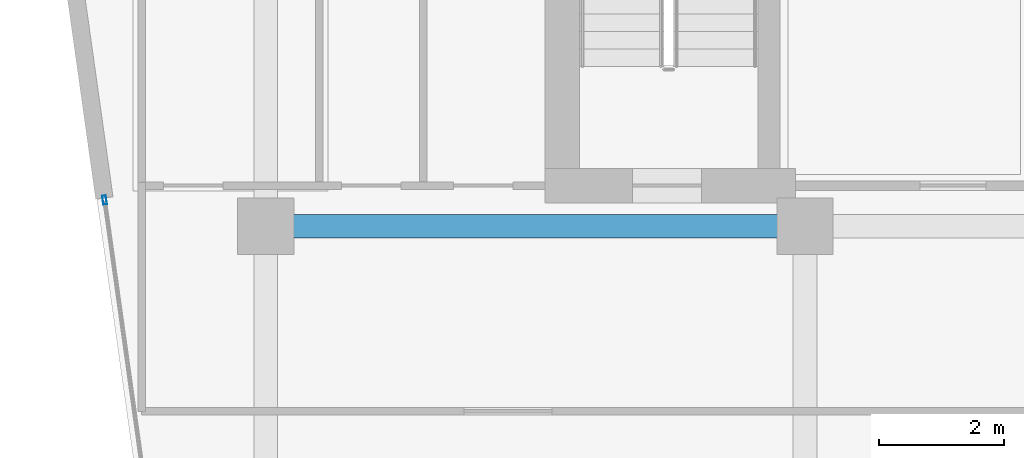
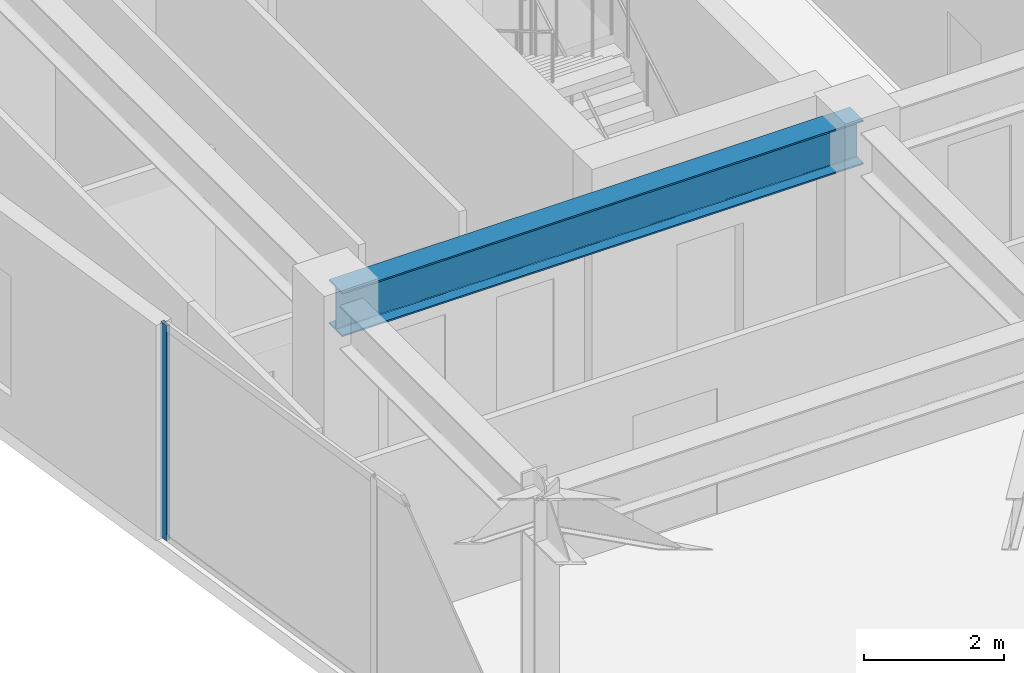
# One storey, part 12 of 27: 1 beam, 1 member, 1 element without a shape of its own.
"""IFC4 building model written with IfcOpenShell, lengths in metres."""

from ifc_helpers import new_model, si_unit, direction, frame, origin, origin_2d, place, context, subcontext, project, spatial, hollow_rectangle, i_section, extrude, material, layer, layer_set, material_profile, profile_set, type_object, element, aggregate, save


model = new_model("IFC4")

# Units and contexts
model_context = context("Model", 3, precision=1e-05, world=origin(), true_north=direction((0.0, 1.0)))
body_context = subcontext(model_context, "Body", "Model", "MODEL_VIEW")
ifc_project = project(units=[si_unit("LENGTHUNIT", "METRE"), si_unit("AREAUNIT", "SQUARE_METRE"), si_unit("VOLUMEUNIT", "CUBIC_METRE"), si_unit("PLANEANGLEUNIT", "RADIAN"), si_unit("MASSUNIT", "GRAM", prefix="KILO")], contexts=[model_context])

# Site, building, storey
site_placement = place(None, origin())
site = spatial("IfcSite", under=ifc_project, at=site_placement, CompositionType="ELEMENT")
building_placement = place(site_placement, origin())
building = spatial("IfcBuilding", under=site, at=building_placement, Name="Kravanh Interchange Tower", CompositionType="ELEMENT")
storey_placement = place(building_placement, frame((0.0, 0.0, 196.5)))
storey = spatial("IfcBuildingStorey", under=building, at=storey_placement, Name="L47", CompositionType="ELEMENT", Elevation=196.5)

# Curtain wall, member
ifc_material_1 = material(Name="Anodised Bronze Aluminium", Category="aluminium")
ifc_layer = layer(ifc_material_1, 0.179931640625)
ifc_layer_set = layer_set([ifc_layer], Name="Unitised Curtain Wall System CW-Z3 Upper Office")
curtain_wall_type = type_object("IfcCurtainWallType", Name="Unitised Curtain Wall System CW-Z3 Upper Office", PredefinedType="NOTDEFINED", material=ifc_layer_set)
curtain_wall_placement = place(storey_placement, origin())
curtain_wall = element("IfcCurtainWall", 1, at=curtain_wall_placement, inside=storey, type_object=curtain_wall_type, Name="L47 Unitised Curtain Wall CW-L47-01", PredefinedType="NOTDEFINED")
ifc_material_2 = material(Name="Anodised Bronze Aluminium", Category="aluminium")
ifc_material_profile_1 = material_profile(ifc_material_2, hollow_rectangle(XDim=0.06005859375, YDim=0.139892578125, WallThickness=0.00390625, at=origin_2d()), Name="ALU60X140X4")
ifc_profile_set_1 = profile_set([ifc_material_profile_1], Name="Anodised Bronze Aluminium")
member_type = type_object("IfcMemberType", Name="Curtain Wall Mullion ALU60X140X4 Bronze", PredefinedType="MULLION", material=ifc_profile_set_1)
member_placement = place(storey_placement, frame((16.029296875, 37.770263671875, 0.0), z_axis=(0.0, 0.0, 1.0), x_axis=(-0.990268194035, -0.139172209446, 0.0)))
member = element("IfcMember", 2, at=member_placement, type_object=member_type, Name="CW-Z3 mullion 6", PredefinedType="MULLION", context=body_context, shape_type="SweptSolid", body=[
    extrude(hollow_rectangle(XDim=0.06005859375, YDim=0.139892578125, WallThickness=0.00390625, at=origin_2d()), origin(), (0.0, 0.0, 1.0), 3.7548828125),
])
aggregate(curtain_wall, [member])

# Beam
ifc_material_3 = material(Name="Structural Steel S355", Category="steel")
ifc_material_profile_2 = material_profile(ifc_material_3, i_section(OverallWidth=0.381103515625, OverallDepth=0.77294921875, WebThickness=0.0166015625, FlangeThickness=0.027099609375, FilletRadius=0.02490234375, at=origin_2d()), Name="W30X173")
ifc_profile_set_2 = profile_set([ifc_material_profile_2], Name="Structural Steel S355")
beam_type = type_object("IfcBeamType", Name="Floor Beam W30X173 Structural Steel S355", PredefinedType="BEAM", material=ifc_profile_set_2)
beam_placement = place(storey_placement, frame((27.199951171875, 37.35009765625, 3.368408203125), z_axis=(-1.0, 0.0, 0.0), x_axis=(0.0, -1.0, 0.0)))
element("IfcBeam", 3, at=beam_placement, inside=storey, type_object=beam_type, Name="L47 Primary Floor Girder 25", PredefinedType="BEAM", context=body_context, shape_type="SweptSolid", body=[
    extrude(i_section(OverallWidth=0.381103515625, OverallDepth=0.77294921875, WebThickness=0.0166015625, FlangeThickness=0.027099609375, FilletRadius=0.02490234375, at=origin_2d()), origin(), (0.0, 0.0, 1.0), 8.599853515625),
])

save(model, "model.ifc")
